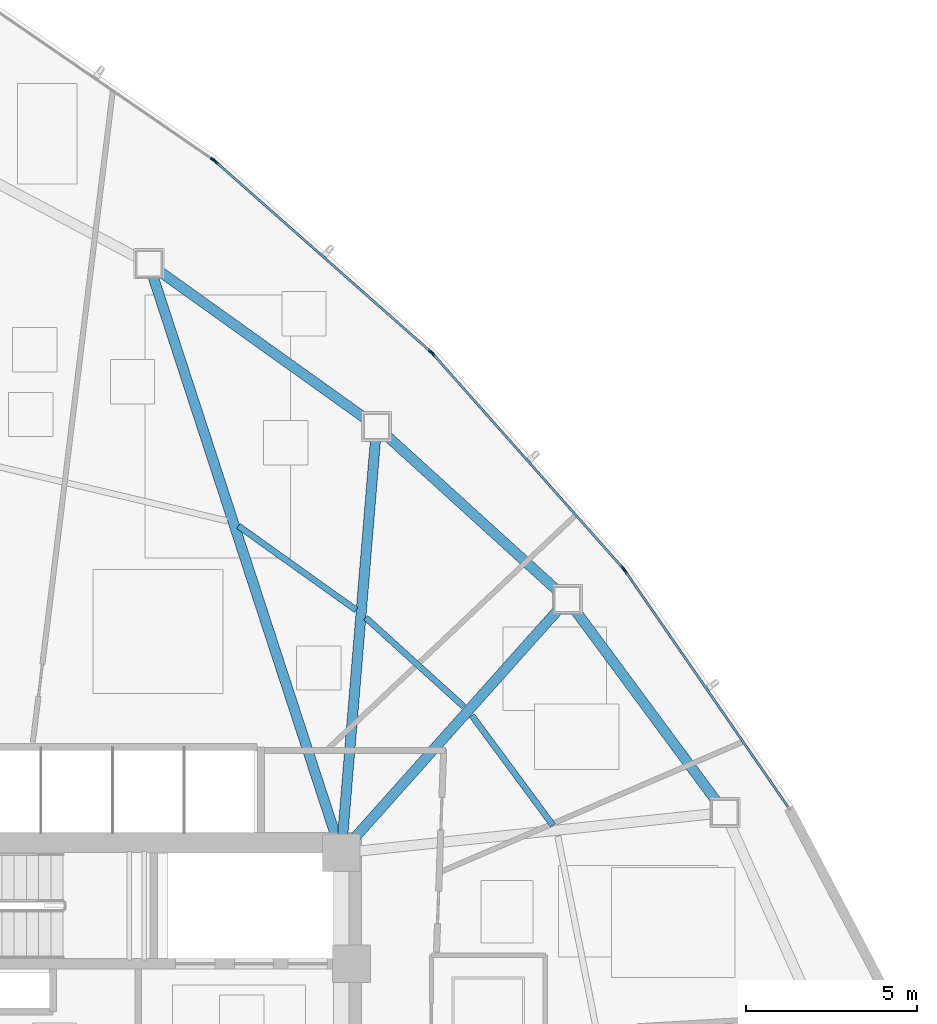
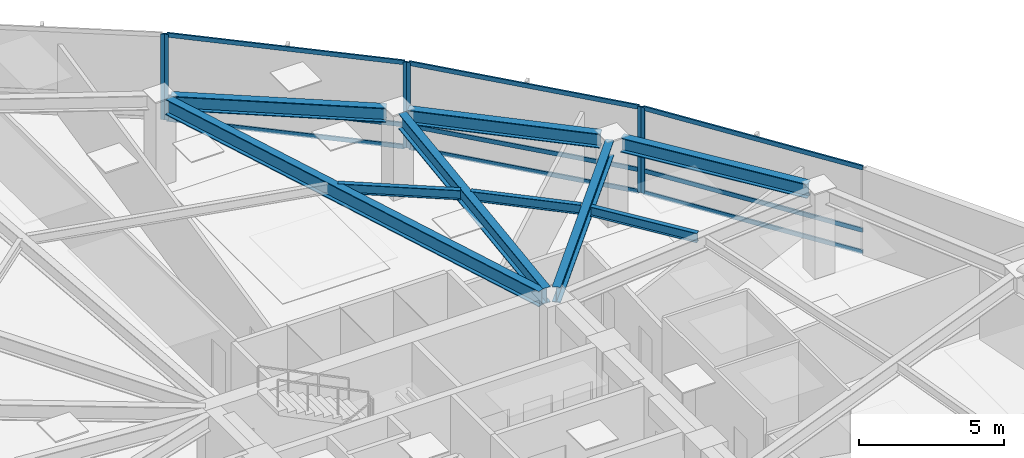
# One storey, part 10 of 18: 15 members, 9 beams, 4 elements without a shape of their own.
"""IFC4 building model written with IfcOpenShell, lengths in metres."""

from ifc_helpers import new_model, si_unit, direction, frame, origin, origin_2d, place, context, subcontext, project, spatial, hollow_rectangle, i_section, extrude, source, transform, mapped, material, layer, layer_set, material_profile, profile_set, type_object, type_shapes, element, aggregate, save


model = new_model("IFC4")

# Units and contexts
model_context = context("Model", 3, precision=1e-05, world=origin(), true_north=direction((0.0, 1.0)))
body_context = subcontext(model_context, "Body", "Model", "MODEL_VIEW")
ifc_project = project(units=[si_unit("LENGTHUNIT", "METRE"), si_unit("AREAUNIT", "SQUARE_METRE"), si_unit("VOLUMEUNIT", "CUBIC_METRE"), si_unit("PLANEANGLEUNIT", "RADIAN"), si_unit("MASSUNIT", "GRAM", prefix="KILO")], contexts=[model_context])

# Site, building, storey
site_placement = place(None, origin())
site = spatial("IfcSite", under=ifc_project, at=site_placement, CompositionType="ELEMENT")
building_placement = place(site_placement, origin())
building = spatial("IfcBuilding", under=site, at=building_placement, Name="Tavelor Broadcast Tower", CompositionType="ELEMENT")
storey_placement = place(building_placement, frame((0.0, 0.0, 58.800048828125)))
storey = spatial("IfcBuildingStorey", under=building, at=storey_placement, Name="L13", CompositionType="ELEMENT", Elevation=58.800048828125)

# Beams
ifc_material_1 = material(Name="Steel S355", Category="steel")
ifc_material_profile_1 = material_profile(ifc_material_1, i_section(OverallWidth=0.179931640625, OverallDepth=0.39990234375, WebThickness=0.008544921875, FlangeThickness=0.013427734375, at=origin_2d()), Name="IPE 400")
ifc_profile_set_1 = profile_set([ifc_material_profile_1], Name="Steel S355")
beam_type_1 = type_object("IfcBeamType", Name="Composite Floor Joist T1 IPE 400", PredefinedType="JOIST", material=ifc_profile_set_1)
beam_1_placement = place(storey_placement, frame((62.804443359375, 52.009521484375, 3.39990234375), z_axis=(-0.594288025828, 0.804252287754, 0.0), x_axis=(-0.804252287754, -0.594288025828, 0.0)))
element("IfcBeam", 1, at=beam_1_placement, inside=storey, type_object=beam_type_1, Name="L13 Secondary Composite Floor Joist 15", PredefinedType="JOIST", context=body_context, shape_type="SweptSolid", body=[
    extrude(i_section(OverallWidth=0.179931640625, OverallDepth=0.39990234375, WebThickness=0.008544921875, FlangeThickness=0.013427734375, at=origin_2d()), origin(), (0.0, 0.0, 1.0), 3.99755859375),
])
beam_2_placement = place(storey_placement, frame((60.18701171875, 55.49169921875, 3.39990234375), z_axis=(-0.740990869176, 0.67151510169, 0.0), x_axis=(-0.67151510169, -0.740990869176, 0.0)))
element("IfcBeam", 2, at=beam_2_placement, inside=storey, type_object=beam_type_1, Name="L13 Secondary Composite Floor Joist 16", PredefinedType="JOIST", context=body_context, shape_type="SweptSolid", body=[
    extrude(i_section(OverallWidth=0.179931640625, OverallDepth=0.39990234375, WebThickness=0.008544921875, FlangeThickness=0.013427734375, at=origin_2d()), origin(), (0.0, 0.0, 1.0), 3.8759765625),
])
beam_3_placement = place(storey_placement, frame((57.03369140625, 58.321044921875, 3.39990234375), z_axis=(-0.814052615916, 0.580791131579, 0.0), x_axis=(-0.580791131579, -0.814052615916, 0.0)))
element("IfcBeam", 3, at=beam_3_placement, inside=storey, type_object=beam_type_1, Name="L13 Secondary Composite Floor Joist 17", PredefinedType="JOIST", context=body_context, shape_type="SweptSolid", body=[
    extrude(i_section(OverallWidth=0.179931640625, OverallDepth=0.39990234375, WebThickness=0.008544921875, FlangeThickness=0.013427734375, at=origin_2d()), origin(), (0.0, 0.0, 1.0), 4.23681640625),
])
ifc_material_profile_2 = material_profile(ifc_material_1, i_section(OverallWidth=0.300048828125, OverallDepth=0.60009765625, WebThickness=0.015380859375, FlangeThickness=0.030029296875, at=origin_2d()), Name="HEB 600")
ifc_profile_set_2 = profile_set([ifc_material_profile_2], Name="Steel S355")
beam_type_2 = type_object("IfcBeamType", Name="Perimeter Spandrel Beam T1 HEB 600", PredefinedType="SPANDREL", material=ifc_profile_set_2)
beam_4_placement = place(storey_placement, frame((67.6123046875, 52.69140625, 3.300048828125), z_axis=(-0.594687385164, 0.803957034876, 0.0), x_axis=(-0.803957034876, -0.594687385164, 0.0)))
element("IfcBeam", 4, at=beam_4_placement, inside=storey, type_object=beam_type_2, Name="L13 Framed-Tube Ring Spandrel 15", PredefinedType="SPANDREL", context=body_context, shape_type="SweptSolid", body=[
    extrude(i_section(OverallWidth=0.300048828125, OverallDepth=0.60009765625, WebThickness=0.015380859375, FlangeThickness=0.030029296875, at=origin_2d()), origin(), (0.0, 0.0, 1.0), 6.9951171875),
])
beam_5_placement = place(storey_placement, frame((62.939697265625, 58.882080078125, 3.300048828125), z_axis=(-0.740415616175, 0.672149325168, 0.0), x_axis=(-0.672149325168, -0.740415616175, 0.0)))
element("IfcBeam", 5, at=beam_5_placement, inside=storey, type_object=beam_type_2, Name="L13 Framed-Tube Ring Spandrel 16", PredefinedType="SPANDREL", context=body_context, shape_type="SweptSolid", body=[
    extrude(i_section(OverallWidth=0.300048828125, OverallDepth=0.60009765625, WebThickness=0.015380859375, FlangeThickness=0.030029296875, at=origin_2d()), origin(), (0.0, 0.0, 1.0), 6.78076171875),
])
beam_6_placement = place(storey_placement, frame((57.322509765625, 63.921142578125, 3.300048828125), z_axis=(-0.813480467782, 0.581592235624, 0.0), x_axis=(-0.581592235624, -0.813480467782, 0.0)))
element("IfcBeam", 6, at=beam_6_placement, inside=storey, type_object=beam_type_2, Name="L13 Framed-Tube Ring Spandrel 17", PredefinedType="SPANDREL", context=body_context, shape_type="SweptSolid", body=[
    extrude(i_section(OverallWidth=0.300048828125, OverallDepth=0.60009765625, WebThickness=0.015380859375, FlangeThickness=0.030029296875, at=origin_2d()), origin(), (0.0, 0.0, 1.0), 7.43505859375),
])
ifc_material_profile_3 = material_profile(ifc_material_1, i_section(OverallWidth=0.300048828125, OverallDepth=0.64990234375, WebThickness=0.01611328125, FlangeThickness=0.031005859375, at=origin_2d()), Name="HEB 650")
ifc_profile_set_3 = profile_set([ifc_material_profile_3], Name="Steel S355")
beam_type_3 = type_object("IfcBeamType", Name="Radial Floor Girder T1 HEB 650", PredefinedType="BEAM", material=ifc_profile_set_3)
beam_7_placement = place(storey_placement, frame((56.951416015625, 51.593994140625, 3.27490234375), z_axis=(0.665781144197, 0.746147082036, 0.0), x_axis=(-0.746147082036, 0.665781144197, 0.0)))
element("IfcBeam", 7, at=beam_7_placement, inside=storey, type_object=beam_type_3, Name="L13 Radial Primary Floor Girder 16", PredefinedType="BEAM", context=body_context, shape_type="SweptSolid", body=[
    extrude(i_section(OverallWidth=0.300048828125, OverallDepth=0.64990234375, WebThickness=0.01611328125, FlangeThickness=0.031005859375, at=origin_2d()), origin(), (0.0, 0.0, 1.0), 9.03759765625),
])
beam_8_placement = place(storey_placement, frame((56.6435546875, 51.726318359375, 3.27490234375), z_axis=(0.08251031281, 0.996590210809, 0.0), x_axis=(-0.996590210809, 0.08251031281, 0.0)))
element("IfcBeam", 8, at=beam_8_placement, inside=storey, type_object=beam_type_3, Name="L13 Radial Primary Floor Girder 17", PredefinedType="BEAM", context=body_context, shape_type="SweptSolid", body=[
    extrude(i_section(OverallWidth=0.300048828125, OverallDepth=0.64990234375, WebThickness=0.01611328125, FlangeThickness=0.031005859375, at=origin_2d()), origin(), (0.0, 0.0, 1.0), 11.62841796875),
])
beam_9_placement = place(storey_placement, frame((56.43603515625, 51.701904296875, 3.27490234375), z_axis=(-0.310367857535, 0.950616533103, 0.0), x_axis=(-0.950616533103, -0.310367857535, 0.0)))
element("IfcBeam", 9, at=beam_9_placement, inside=storey, type_object=beam_type_3, Name="L13 Radial Primary Floor Girder 18", PredefinedType="BEAM", context=body_context, shape_type="SweptSolid", body=[
    extrude(i_section(OverallWidth=0.300048828125, OverallDepth=0.64990234375, WebThickness=0.01611328125, FlangeThickness=0.031005859375, at=origin_2d()), origin(), (0.0, 0.0, 1.0), 17.253662109375),
])

# Curtain wall, member
ifc_material_2 = material(Name="Architectural Anodized Aluminium", Category="aluminium")
ifc_layer = layer(ifc_material_2, 0.179931640625)
ifc_layer_set = layer_set([ifc_layer], Name="Architectural Anodized Aluminium")
curtain_wall_type = type_object("IfcCurtainWallType", Name="Tower Low-Zone Unitised Curtain Wall CW02", PredefinedType="NOTDEFINED", material=ifc_layer_set)
curtain_wall_1_placement = place(storey_placement, origin())
curtain_wall_1 = element("IfcCurtainWall", 10, at=curtain_wall_1_placement, inside=storey, type_object=curtain_wall_type, Name="L13 Curtain Wall CW02 Run 117", PredefinedType="NOTDEFINED")
ifc_material_profile_4 = material_profile(ifc_material_2, hollow_rectangle(XDim=0.06494140625, YDim=0.179931640625, WallThickness=0.02197265625, at=origin_2d()), Name="RHS 65x180x22")
ifc_profile_set_4 = profile_set([ifc_material_profile_4], Name="Architectural Anodized Aluminium")
member_type_1 = type_object("IfcMemberType", Name="CW02 Extruded Aluminium Mullion 65x180", PredefinedType="MULLION", material=ifc_profile_set_4)
shared_shape_1 = source(origin(), body_context, "Body", "SweptSolid", [
    extrude(hollow_rectangle(XDim=0.06494140625, YDim=0.179931640625, WallThickness=0.02197265625, at=origin_2d()), origin(), (0.0, 0.0, 1.0), 3.599853515625),
])
type_shapes(member_type_1, [shared_shape_1])
member_1_placement = place(storey_placement, frame((64.920654296875, 59.461669921875, 0.0), z_axis=(0.0, 0.0, 1.0), x_axis=(-0.82288955282, -0.568201358552, 0.0)))
member_1 = element("IfcMember", 11, at=member_1_placement, type_object=member_type_1, Name="CW02 mullion 2", PredefinedType="MULLION", context=body_context, shape_type="MappedRepresentation", body=[
    mapped(shared_shape_1, transform((0.0, 0.0, 0.0), scale=1.0)),
])

# Curtain wall, members
curtain_wall_2_placement = place(storey_placement, origin())
curtain_wall_2 = element("IfcCurtainWall", 12, at=curtain_wall_2_placement, inside=storey, type_object=curtain_wall_type, Name="L13 Curtain Wall CW02 Run 118", PredefinedType="NOTDEFINED")
member_2_placement = place(storey_placement, frame((64.8623046875, 59.536376953125, 0.0), z_axis=(0.0, 0.0, 1.0), x_axis=(-0.748083808593, -0.663604261078, 0.0)))
member_2 = element("IfcMember", 13, at=member_2_placement, type_object=member_type_1, Name="CW02 mullion 1", PredefinedType="MULLION", context=body_context, shape_type="MappedRepresentation", body=[
    mapped(shared_shape_1, transform((0.0, 0.0, 0.0), scale=1.0)),
])
member_3_placement = place(storey_placement, frame((59.284912109375, 65.82373046875, 0.0), z_axis=(0.0, 0.0, 1.0), x_axis=(-0.748083808593, -0.663604261078, 0.0)))
member_3 = element("IfcMember", 14, at=member_3_placement, type_object=member_type_1, Name="CW02 mullion 2", PredefinedType="MULLION", context=body_context, shape_type="MappedRepresentation", body=[
    mapped(shared_shape_1, transform((0.0, 0.0, 0.0), scale=1.0)),
])

curtain_wall_3_placement = place(storey_placement, origin())
curtain_wall_3 = element("IfcCurtainWall", 15, at=curtain_wall_3_placement, inside=storey, type_object=curtain_wall_type, Name="L13 Curtain Wall CW02 Run 119", PredefinedType="NOTDEFINED")
member_4_placement = place(storey_placement, frame((59.2177734375, 65.890625, 0.0), z_axis=(0.0, 0.0, 1.0), x_axis=(-0.662276269498, -0.749259729906, 0.0)))
member_4 = element("IfcMember", 16, at=member_4_placement, type_object=member_type_1, Name="CW02 mullion 1", PredefinedType="MULLION", context=body_context, shape_type="MappedRepresentation", body=[
    mapped(shared_shape_1, transform((0.0, 0.0, 0.0), scale=1.0)),
])
member_5_placement = place(storey_placement, frame((52.920654296875, 71.456787109375, 0.0), z_axis=(0.0, 0.0, 1.0), x_axis=(-0.662276269498, -0.749259729906, 0.0)))
member_5 = element("IfcMember", 17, at=member_5_placement, type_object=member_type_1, Name="CW02 mullion 2", PredefinedType="MULLION", context=body_context, shape_type="MappedRepresentation", body=[
    mapped(shared_shape_1, transform((0.0, 0.0, 0.0), scale=1.0)),
])

# Curtain wall, member
curtain_wall_4_placement = place(storey_placement, origin())
curtain_wall_4 = element("IfcCurtainWall", 18, at=curtain_wall_4_placement, inside=storey, type_object=curtain_wall_type, Name="L13 Curtain Wall CW02 Run 120", PredefinedType="NOTDEFINED")
member_6_placement = place(storey_placement, frame((52.845947265625, 71.51513671875, 0.0), z_axis=(0.0, 0.0, 1.0), x_axis=(-0.566746370047, -0.82389231823, 0.0)))
member_6 = element("IfcMember", 19, at=member_6_placement, type_object=member_type_1, Name="CW02 mullion 1", PredefinedType="MULLION", context=body_context, shape_type="MappedRepresentation", body=[
    mapped(shared_shape_1, transform((0.0, 0.0, 0.0), scale=1.0)),
])
aggregate(curtain_wall_4, [member_6])

# Member
ifc_material_profile_5 = material_profile(ifc_material_2, hollow_rectangle(XDim=0.06494140625, YDim=0.179931640625, WallThickness=0.02197265625, at=origin_2d()), Name="RHS 65x180x22")
ifc_profile_set_5 = profile_set([ifc_material_profile_5], Name="Architectural Anodized Aluminium")
member_type_2 = type_object("IfcMemberType", Name="CW02 Extruded Aluminium Transom 65x180", PredefinedType="USERDEFINED", material=ifc_profile_set_5)
shared_shape_2 = source(origin(), body_context, "Body", "SweptSolid", [
    extrude(hollow_rectangle(XDim=0.06494140625, YDim=0.179931640625, WallThickness=0.02197265625, at=origin_2d()), origin(), (0.0, 0.0, 1.0), 8.339599609375),
])
member_7_placement = place(storey_placement, frame((59.193603515625, 65.912353515625, 0.032470703125), z_axis=(-0.74927030092, 0.662264309894, 0.0), x_axis=(-0.662264309894, -0.74927030092, 0.0)))
member_7 = element("IfcMember", 20, at=member_7_placement, type_object=member_type_2, Name="CW02 transom 1.1", ObjectType="TRANSOM", PredefinedType="USERDEFINED", context=body_context, shape_type="MappedRepresentation", body=[
    mapped(shared_shape_2, transform((0.0, 0.0, 0.0), scale=1.0)),
])

member_8_placement = place(storey_placement, frame((59.193603515625, 65.912353515625, 0.949951171875), z_axis=(-0.74927030092, 0.662264309894, 0.0), x_axis=(-0.662264309894, -0.74927030092, 0.0)))
member_8 = element("IfcMember", 21, at=member_8_placement, type_object=member_type_2, Name="CW02 transom 1.2", ObjectType="TRANSOM", PredefinedType="USERDEFINED", context=body_context, shape_type="MappedRepresentation", body=[
    mapped(shared_shape_2, transform((0.0, 0.0, 0.0), scale=1.0)),
])

member_9_placement = place(storey_placement, frame((59.193603515625, 65.912353515625, 3.5673828125), z_axis=(-0.74927030092, 0.662264309894, 0.0), x_axis=(-0.662264309894, -0.74927030092, 0.0)))
member_9 = element("IfcMember", 22, at=member_9_placement, type_object=member_type_2, Name="CW02 transom 1.3", ObjectType="TRANSOM", PredefinedType="USERDEFINED", context=body_context, shape_type="MappedRepresentation", body=[
    mapped(shared_shape_2, transform((0.0, 0.0, 0.0), scale=1.0)),
])

aggregate(curtain_wall_3, [member_4, member_5, member_7, member_8, member_9])

shared_shape_3 = source(origin(), body_context, "Body", "SweptSolid", [
    extrude(hollow_rectangle(XDim=0.06494140625, YDim=0.179931640625, WallThickness=0.02197265625, at=origin_2d()), origin(), (0.0, 0.0, 1.0), 8.33935546875),
])
member_10_placement = place(storey_placement, frame((64.840576171875, 59.560791015625, 0.032470703125), z_axis=(-0.663598479358, 0.748088937355, 0.0), x_axis=(-0.748088937355, -0.663598479358, 0.0)))
member_10 = element("IfcMember", 23, at=member_10_placement, type_object=member_type_2, Name="CW02 transom 1.1", ObjectType="TRANSOM", PredefinedType="USERDEFINED", context=body_context, shape_type="MappedRepresentation", body=[
    mapped(shared_shape_3, transform((0.0, 0.0, 0.0), scale=1.0)),
])

member_11_placement = place(storey_placement, frame((64.840576171875, 59.560791015625, 0.949951171875), z_axis=(-0.663598479358, 0.748088937355, 0.0), x_axis=(-0.748088937355, -0.663598479358, 0.0)))
member_11 = element("IfcMember", 24, at=member_11_placement, type_object=member_type_2, Name="CW02 transom 1.2", ObjectType="TRANSOM", PredefinedType="USERDEFINED", context=body_context, shape_type="MappedRepresentation", body=[
    mapped(shared_shape_3, transform((0.0, 0.0, 0.0), scale=1.0)),
])

member_12_placement = place(storey_placement, frame((64.840576171875, 59.560791015625, 3.5673828125), z_axis=(-0.663598479358, 0.748088937355, 0.0), x_axis=(-0.748088937355, -0.663598479358, 0.0)))
member_12 = element("IfcMember", 25, at=member_12_placement, type_object=member_type_2, Name="CW02 transom 1.3", ObjectType="TRANSOM", PredefinedType="USERDEFINED", context=body_context, shape_type="MappedRepresentation", body=[
    mapped(shared_shape_3, transform((0.0, 0.0, 0.0), scale=1.0)),
])

aggregate(curtain_wall_2, [member_2, member_3, member_10, member_11, member_12])

shared_shape_4 = source(origin(), body_context, "Body", "SweptSolid", [
    extrude(hollow_rectangle(XDim=0.06494140625, YDim=0.179931640625, WallThickness=0.02197265625, at=origin_2d()), origin(), (0.0, 0.0, 1.0), 8.3544921875),
])
type_shapes(member_type_2, [shared_shape_2, shared_shape_3, shared_shape_4])
member_13_placement = place(storey_placement, frame((69.686279296875, 52.560302734375, 0.032470703125), z_axis=(-0.568208149674, 0.82288486354, 0.0), x_axis=(-0.82288486354, -0.568208149674, 0.0)))
member_13 = element("IfcMember", 26, at=member_13_placement, type_object=member_type_2, Name="CW02 transom 1.1", ObjectType="TRANSOM", PredefinedType="USERDEFINED", context=body_context, shape_type="MappedRepresentation", body=[
    mapped(shared_shape_4, transform((0.0, 0.0, 0.0), scale=1.0)),
])

member_14_placement = place(storey_placement, frame((69.686279296875, 52.560302734375, 0.949951171875), z_axis=(-0.568208149674, 0.82288486354, 0.0), x_axis=(-0.82288486354, -0.568208149674, 0.0)))
member_14 = element("IfcMember", 27, at=member_14_placement, type_object=member_type_2, Name="CW02 transom 1.2", ObjectType="TRANSOM", PredefinedType="USERDEFINED", context=body_context, shape_type="MappedRepresentation", body=[
    mapped(shared_shape_4, transform((0.0, 0.0, 0.0), scale=1.0)),
])

member_15_placement = place(storey_placement, frame((69.686279296875, 52.560302734375, 3.5673828125), z_axis=(-0.568208149674, 0.82288486354, 0.0), x_axis=(-0.82288486354, -0.568208149674, 0.0)))
member_15 = element("IfcMember", 28, at=member_15_placement, type_object=member_type_2, Name="CW02 transom 1.3", ObjectType="TRANSOM", PredefinedType="USERDEFINED", context=body_context, shape_type="MappedRepresentation", body=[
    mapped(shared_shape_4, transform((0.0, 0.0, 0.0), scale=1.0)),
])

aggregate(curtain_wall_1, [member_1, member_13, member_14, member_15])

save(model, "model.ifc")
